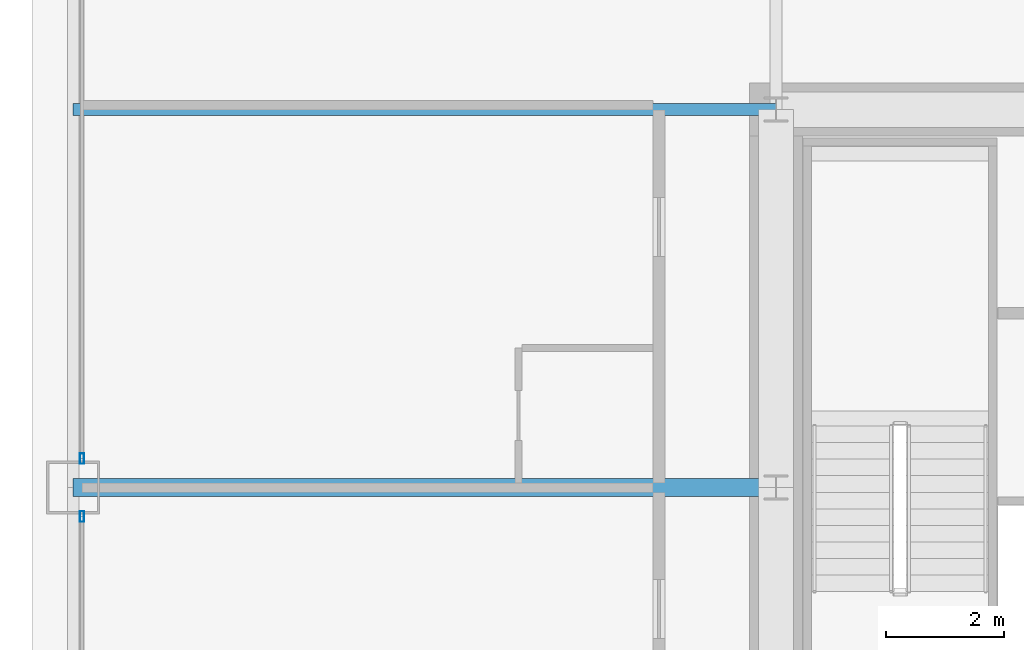
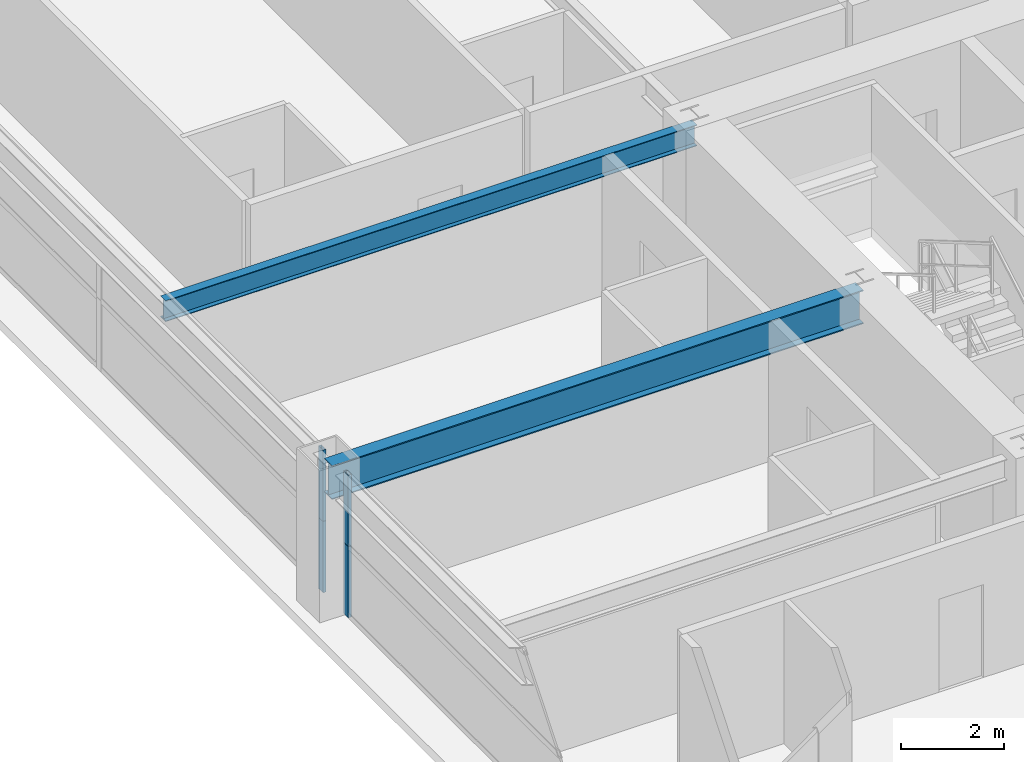
# One storey, part 11 of 43: 4 members, 2 beams, 2 elements without a shape of their own.
"""IFC4 building model written with IfcOpenShell, lengths in metres."""

from ifc_helpers import new_model, si_unit, direction, frame, origin, origin_2d, place, context, subcontext, project, spatial, hollow_rectangle, i_section, extrude, source, transform, mapped, material, layer, layer_set, material_profile, profile_set, type_object, element, aggregate, save


model = new_model("IFC4")

# Units and contexts
model_context = context("Model", 3, precision=1e-05, world=origin(), true_north=direction((0.0, 1.0)))
body_context = subcontext(model_context, "Body", "Model", "MODEL_VIEW")
ifc_project = project(units=[si_unit("LENGTHUNIT", "METRE"), si_unit("AREAUNIT", "SQUARE_METRE"), si_unit("VOLUMEUNIT", "CUBIC_METRE"), si_unit("PLANEANGLEUNIT", "RADIAN"), si_unit("MASSUNIT", "GRAM", prefix="KILO"), si_unit("THERMODYNAMICTEMPERATUREUNIT", "KELVIN"), si_unit("POWERUNIT", "WATT")], contexts=[model_context])

# Site, building, storey
site_placement = place(None, origin())
site = spatial("IfcSite", under=ifc_project, at=site_placement, CompositionType="ELEMENT")
building_placement = place(site_placement, origin())
building = spatial("IfcBuilding", under=site, at=building_placement, Name="Yuzanri Waterfront Tower", CompositionType="ELEMENT")
storey_placement = place(building_placement, frame((0.0, 0.0, 46.0)))
storey = spatial("IfcBuildingStorey", under=building, at=storey_placement, Name="L11", CompositionType="ELEMENT", Elevation=46.0)

# Beams
ifc_material_1 = material(Name="Steel Q355B", Category="steel")
ifc_material_profile_1 = material_profile(ifc_material_1, i_section(OverallWidth=0.300048828125, OverallDepth=0.800048828125, WebThickness=0.013916015625, FlangeThickness=0.02587890625, at=origin_2d()), Name="HN 800x300x14x26")
ifc_profile_set_1 = profile_set([ifc_material_profile_1], Name="Steel Q355B")
beam_type_1 = type_object("IfcBeamType", Name="Primary Floor Girder Q355B HN 800x300", PredefinedType="BEAM", material=ifc_profile_set_1)
shared_shape_1 = source(origin(), body_context, "Body", "SweptSolid", [
    extrude(i_section(OverallWidth=0.300048828125, OverallDepth=0.800048828125, WebThickness=0.013916015625, FlangeThickness=0.02587890625, at=origin_2d()), origin(), (0.0, 0.0, 1.0), 11.900146484375),
])
beam_1_placement = place(storey_placement, frame((23.800048828125, 25.800048828125, 2.97998046875), z_axis=(-1.0, 0.0, 0.0), x_axis=(0.0, -1.0, 0.0)))
element("IfcBeam", 1, at=beam_1_placement, inside=storey, type_object=beam_type_1, Name="L11 West Grid Girder", PredefinedType="BEAM", context=body_context, shape_type="MappedRepresentation", body=[
    mapped(shared_shape_1, transform((0.0, 0.0, 0.0), scale=1.0)),
])
ifc_material_2 = material(Name="Steel Q355B", Category="steel")
ifc_material_profile_2 = material_profile(ifc_material_2, i_section(OverallWidth=0.199951171875, OverallDepth=0.5, WebThickness=0.010009765625, FlangeThickness=0.01611328125, at=origin_2d()), Name="HN 500x200x10x16")
ifc_profile_set_2 = profile_set([ifc_material_profile_2], Name="Steel Q355B")
beam_type_2 = type_object("IfcBeamType", Name="Secondary Floor Beam Q355B HN 500x200", PredefinedType="BEAM", material=ifc_profile_set_2)
shared_shape_2 = source(origin(), body_context, "Body", "SweptSolid", [
    extrude(i_section(OverallWidth=0.199951171875, OverallDepth=0.5, WebThickness=0.010009765625, FlangeThickness=0.01611328125, at=origin_2d()), origin(), (0.0, 0.0, 1.0), 11.900146484375),
])
beam_2_placement = place(storey_placement, frame((23.800048828125, 32.199951171875, 3.1298828125), z_axis=(-1.0, 0.0, 0.0), x_axis=(0.0, -1.0, 0.0)))
element("IfcBeam", 2, at=beam_2_placement, inside=storey, type_object=beam_type_2, Name="L11 West-North Core Line Beam", PredefinedType="BEAM", context=body_context, shape_type="MappedRepresentation", body=[
    mapped(shared_shape_2, transform((0.0, 0.0, 0.0), scale=1.0)),
])

# Curtain wall, members
ifc_material_3 = material(Name="Anodized Architectural Bronze", Category="metal")
ifc_layer = layer(ifc_material_3, 0.159912109375)
ifc_layer_set = layer_set([ifc_layer], Name="Anodized Architectural Bronze")
curtain_wall_type = type_object("IfcCurtainWallType", Name="Anodized Bronze Hotel Lower-Tier Recessed Unitized Curtain Wall 8100", PredefinedType="NOTDEFINED", material=ifc_layer_set)
curtain_wall_1_placement = place(storey_placement, origin())
curtain_wall_1 = element("IfcCurtainWall", 3, at=curtain_wall_1_placement, inside=storey, type_object=curtain_wall_type, Name="L11 Curtain Wall CW-L11-WL", PredefinedType="NOTDEFINED")
ifc_material_4 = material(Name="Anodized Architectural Bronze", Category="metal")
ifc_material_profile_3 = material_profile(ifc_material_4, hollow_rectangle(XDim=0.070068359375, YDim=0.179931640625, WallThickness=0.00390625, at=origin_2d()), Name="CWM 70x180")
ifc_profile_set_3 = profile_set([ifc_material_profile_3], Name="Anodized Architectural Bronze")
member_type = type_object("IfcMemberType", Name="Anodized Bronze Standard Curtain-Wall Mullion 70x180", PredefinedType="MULLION", material=ifc_profile_set_3)
shared_shape_3 = source(origin(), body_context, "Body", "SweptSolid", [
    extrude(hollow_rectangle(XDim=0.070068359375, YDim=0.179931640625, WallThickness=0.00390625, at=origin_2d()), origin(), (0.0, 0.0, 1.0), 1.68798828125),
])
member_1_placement = place(storey_placement, frame((12.050048828125, 25.31005859375, 0.0), z_axis=(0.0, 0.0, 1.0), x_axis=(1.0, 0.0, 0.0)))
member_1 = element("IfcMember", 4, at=member_1_placement, type_object=member_type, Name="CW-L11-WL Lower Mullion 02", PredefinedType="MULLION", context=body_context, shape_type="MappedRepresentation", body=[
    mapped(shared_shape_3, transform((0.0, 0.0, 0.0), scale=1.0)),
])
member_2_placement = place(storey_placement, frame((12.050048828125, 25.31005859375, 1.69189453125), z_axis=(0.0, 0.0, 1.0), x_axis=(1.0, 0.0, 0.0)))
member_2 = element("IfcMember", 5, at=member_2_placement, type_object=member_type, Name="CW-L11-WL Upper Mullion 02", PredefinedType="MULLION", context=body_context, shape_type="MappedRepresentation", body=[
    mapped(shared_shape_3, transform((0.0, 0.0, 0.0), scale=1.0)),
])
aggregate(curtain_wall_1, [member_1, member_2])

curtain_wall_2_placement = place(storey_placement, origin())
curtain_wall_2 = element("IfcCurtainWall", 6, at=curtain_wall_2_placement, inside=storey, type_object=curtain_wall_type, Name="L11 Curtain Wall CW-L11-WR", PredefinedType="NOTDEFINED")
member_3_placement = place(storey_placement, frame((12.050048828125, 26.2900390625, 0.0), z_axis=(0.0, 0.0, 1.0), x_axis=(1.0, 0.0, 0.0)))
member_3 = element("IfcMember", 7, at=member_3_placement, type_object=member_type, Name="CW-L11-WR Lower Mullion 00", PredefinedType="MULLION", context=body_context, shape_type="MappedRepresentation", body=[
    mapped(shared_shape_3, transform((0.0, 0.0, 0.0), scale=1.0)),
])
member_4_placement = place(storey_placement, frame((12.050048828125, 26.2900390625, 1.69189453125), z_axis=(0.0, 0.0, 1.0), x_axis=(1.0, 0.0, 0.0)))
member_4 = element("IfcMember", 8, at=member_4_placement, type_object=member_type, Name="CW-L11-WR Upper Mullion 00", PredefinedType="MULLION", context=body_context, shape_type="MappedRepresentation", body=[
    mapped(shared_shape_3, transform((0.0, 0.0, 0.0), scale=1.0)),
])
aggregate(curtain_wall_2, [member_3, member_4])

save(model, "model.ifc")
